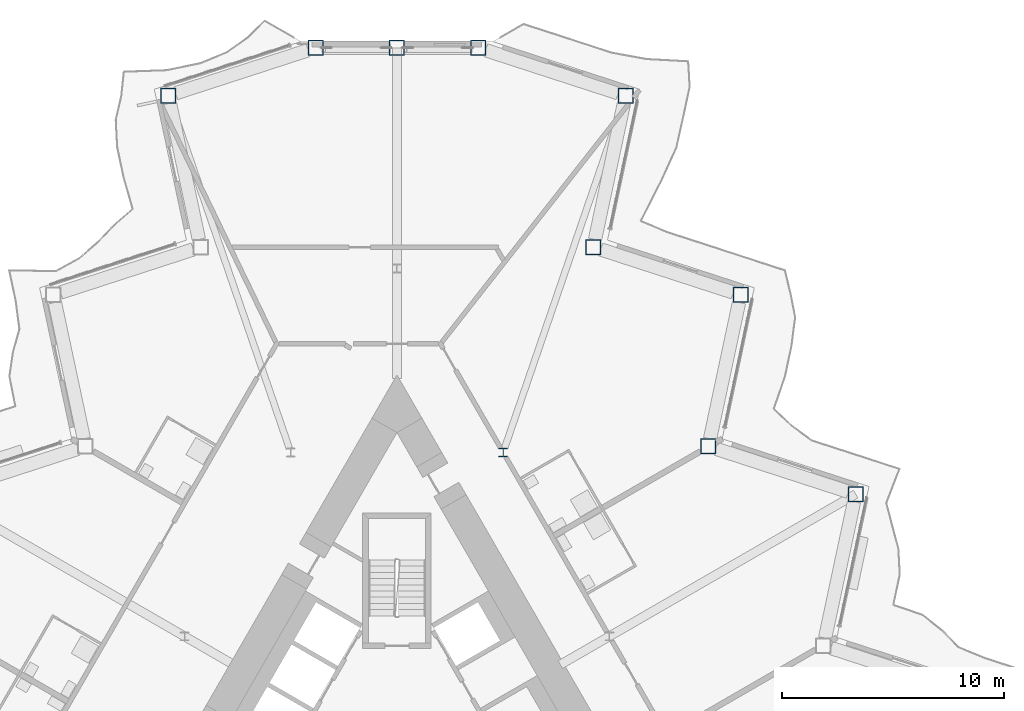
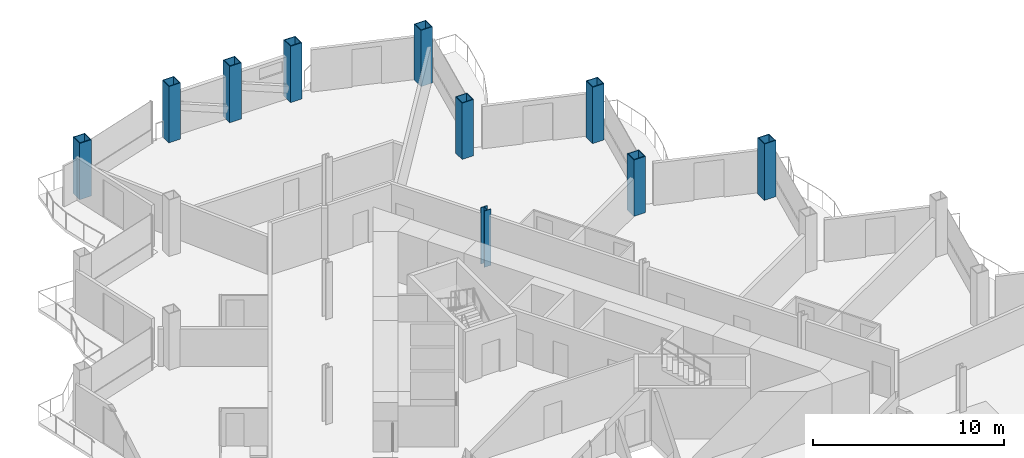
# One storey, part 3 of 24: 10 columns.
"""IFC4 building model written with IfcOpenShell, lengths in metres."""

from ifc_helpers import new_model, si_unit, direction, frame, origin, origin_2d, place, context, subcontext, project, spatial, hollow_rectangle, i_section, extrude, material, material_profile, profile_set, type_object, element, save


model = new_model("IFC4")

# Units and contexts
model_context = context("Model", 3, precision=1e-05, world=origin(), true_north=direction((0.0, 1.0)))
body_context = subcontext(model_context, "Body", "Model", "MODEL_VIEW")
ifc_project = project(units=[si_unit("LENGTHUNIT", "METRE"), si_unit("AREAUNIT", "SQUARE_METRE"), si_unit("VOLUMEUNIT", "CUBIC_METRE"), si_unit("PLANEANGLEUNIT", "RADIAN"), si_unit("MASSUNIT", "GRAM", prefix="KILO")], contexts=[model_context])

# Site, building, storey
site_placement = place(None, origin())
site = spatial("IfcSite", under=ifc_project, at=site_placement, CompositionType="ELEMENT")
building_placement = place(site_placement, origin())
building = spatial("IfcBuilding", under=site, at=building_placement, Name="Cormorant Prow Tower", CompositionType="ELEMENT")
storey_placement = place(building_placement, frame((0.0, 0.0, 231.0)))
storey = spatial("IfcBuildingStorey", under=building, at=storey_placement, Name="L50", CompositionType="ELEMENT", Elevation=231.0)

# Columns
ifc_material_1 = material(Name="Structural steel ASTM A572 Gr 50", Category="steel")
ifc_material_profile_1 = material_profile(ifc_material_1, hollow_rectangle(XDim=0.699951171875, YDim=0.699951171875, WallThickness=0.044921875, at=origin_2d()), Name="Box 700x700x45")
ifc_profile_set_1 = profile_set([ifc_material_profile_1], Name="Structural steel ASTM A572 Gr 50")
column_type_1 = type_object("IfcColumnType", Name="Perimeter box column 700x700x45", PredefinedType="COLUMN", material=ifc_profile_set_1)
for number, where, z_axis, x_axis, name in (
    (1, (20.686767578125, 11.943359375, 0.0), (0.0, 0.0, 1.0), (1.0, 0.0, 0.0), "Perimeter column C5 at ENE05 L50"),
    (2, (14.046875, 14.100830078125, 0.0), (0.0, 0.0, 1.0), (1.0, 0.0, 0.0), "Perimeter column C5 at ENE06 L50"),
    (3, (15.49853515625, 20.9296875, 0.0), (0.0, 0.0, 1.0), (1.0, 0.0, 0.0), "Perimeter column C5 at ENE07 L50"),
    (4, (8.858642578125, 23.087158203125, 0.0), (0.0, 0.0, 1.0), (1.0, 0.0, 0.0), "Perimeter column C5 at ENE08 L50"),
    (5, (10.310302734375, 29.916015625, 0.0), (0.0, 0.0, 1.0), (1.0, 0.0, 0.0), "Perimeter column C5 at ENE09 L50"),
    (6, (3.67041015625, 32.073486328125, 0.0), (0.0, 0.0, 1.0), (1.0, 0.0, 0.0), "Perimeter column C5 at N00 L50"),
    (7, (0.0, 32.073486328125, 0.0), (0.0, 0.0, 1.0), (1.0, 0.0, 0.0), "Perimeter column C5 at N01 L50"),
    (8, (-3.67041015625, 32.073486328125, 0.0), (0.0, 0.0, 1.0), (1.0, 0.0, 0.0), "Perimeter column C5 at WNW00 L50"),
    (9, (-10.310302734375, 29.916015625, 0.0), (0.0, 0.0, 1.0), (1.0, 0.0, 0.0), "Perimeter column C5 at WNW01 L50"),
):
    element("IfcColumn", number, at=place(storey_placement, frame(where, z_axis=z_axis, x_axis=x_axis)), inside=storey, type_object=column_type_1, Name=name, PredefinedType="COLUMN", context=body_context, shape_type="SweptSolid", body=[
        extrude(hollow_rectangle(XDim=0.699951171875, YDim=0.699951171875, WallThickness=0.044921875, at=origin_2d()), origin(), (0.0, 0.0, 1.0), 3.60009765625),
    ])
ifc_material_2 = material(Name="Structural steel ASTM A992 Gr 50", Category="steel")
ifc_material_profile_2 = material_profile(ifc_material_2, i_section(OverallWidth=0.39892578125, OverallDepth=0.393310546875, WebThickness=0.022705078125, FlangeThickness=0.03662109375, at=origin_2d()), Name="W14x193")
ifc_profile_set_2 = profile_set([ifc_material_profile_2], Name="Structural steel ASTM A992 Gr 50")
column_type_2 = type_object("IfcColumnType", Name="Ring column W14x193", PredefinedType="COLUMN", material=ifc_profile_set_2)
column_placement = place(storey_placement, frame((4.789306640625, 13.8251953125, 0.0), z_axis=(0.0, 0.0, 1.0), x_axis=(1.0, 0.0, 0.0)))
element("IfcColumn", 10, at=column_placement, inside=storey, type_object=column_type_2, Name="Ring column 12 L50", PredefinedType="COLUMN", context=body_context, shape_type="SweptSolid", body=[
    extrude(i_section(OverallWidth=0.39892578125, OverallDepth=0.393310546875, WebThickness=0.022705078125, FlangeThickness=0.03662109375, at=origin_2d()), origin(), (0.0, 0.0, 1.0), 3.60009765625),
])

save(model, "model.ifc")
